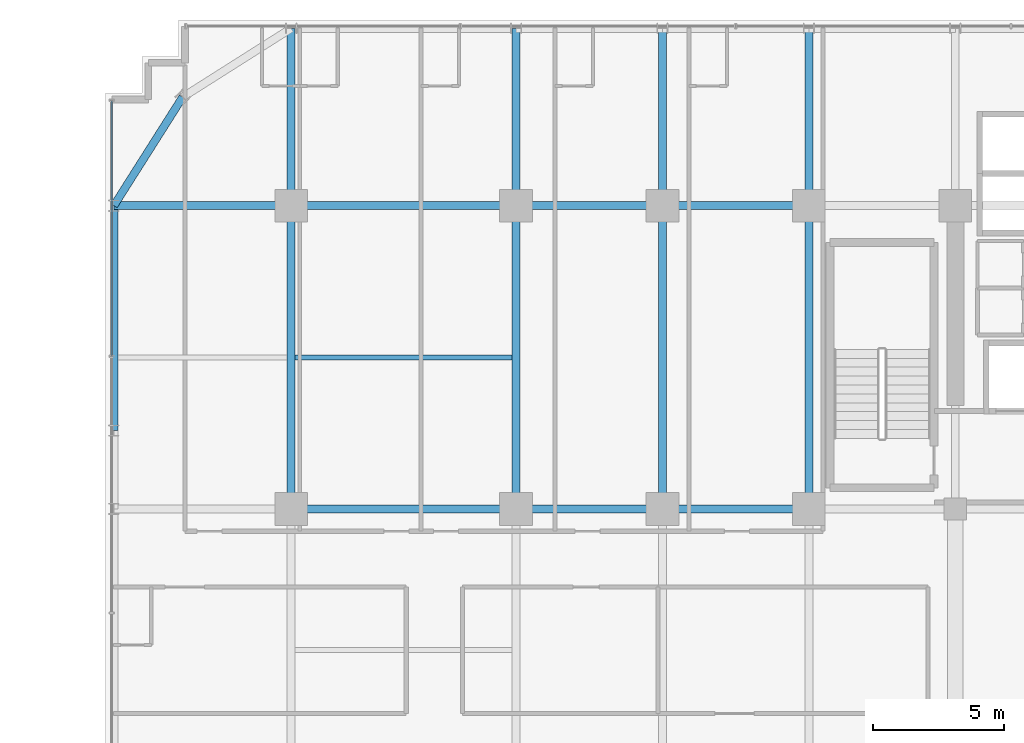
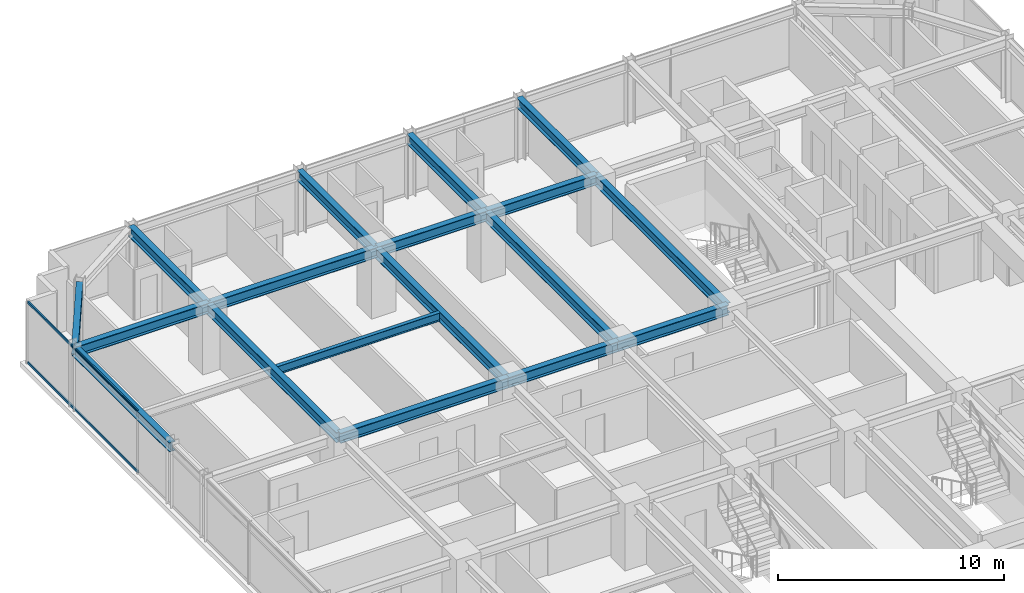
# One storey, part 17 of 31: 18 beams, 2 members, 1 element without a shape of its own.
"""IFC4 building model written with IfcOpenShell, lengths in metres."""

from ifc_helpers import new_model, si_unit, direction, frame, origin, origin_2d, place, context, subcontext, project, spatial, hollow_rectangle, i_section, extrude, source, transform, mapped, material, material_profile, profile_set, type_object, element, aggregate, save


model = new_model("IFC4")

# Units and contexts
model_context = context("Model", 3, precision=1e-05, world=origin(), true_north=direction((0.0, 1.0)))
body_context = subcontext(model_context, "Body", "Model", "MODEL_VIEW")
ifc_project = project(units=[si_unit("LENGTHUNIT", "METRE"), si_unit("AREAUNIT", "SQUARE_METRE"), si_unit("VOLUMEUNIT", "CUBIC_METRE"), si_unit("PLANEANGLEUNIT", "RADIAN"), si_unit("MASSUNIT", "GRAM", prefix="KILO")], contexts=[model_context])

# Site, building, storey
site_placement = place(None, origin())
site = spatial("IfcSite", under=ifc_project, at=site_placement, CompositionType="ELEMENT")
building_placement = place(site_placement, origin())
building = spatial("IfcBuilding", under=site, at=building_placement, Name="Nahalor Promenade Grand Hotel", CompositionType="ELEMENT")
storey_placement = place(building_placement, frame((0.0, 0.0, 95.60009765625)))
storey = spatial("IfcBuildingStorey", under=building, at=storey_placement, Name="L23", CompositionType="ELEMENT", Elevation=95.60009765625)

# Beams
ifc_material_1 = material(Name="Steel S355JR", Category="steel")
ifc_material_profile_1 = material_profile(ifc_material_1, i_section(OverallWidth=0.3, OverallDepth=0.5, WebThickness=0.0145, FlangeThickness=0.028, at=origin_2d()), Name="HEB 500")
ifc_profile_set_1 = profile_set([ifc_material_profile_1], Name="Steel S355JR")
beam_type_1 = type_object("IfcBeamType", Name="Beam-Spandrel-HEB500", PredefinedType="SPANDREL", material=ifc_profile_set_1)
shared_shape_1 = source(origin(), body_context, "Body", "SweptSolid", [
    extrude(i_section(OverallWidth=0.3, OverallDepth=0.5, WebThickness=0.0145, FlangeThickness=0.028, at=origin_2d()), origin(), (0.0, 0.0, 1.0), 8.60009765625),
])
beam_1_placement = place(storey_placement, frame((-23.780029296875, 8.39990234375, 3.1298828125), z_axis=(0.0, 1.0, 0.0), x_axis=(-1.0, 0.0, 0.0)))
element("IfcBeam", 1, at=beam_1_placement, inside=storey, type_object=beam_type_1, Name="BM-L23-SP-W-4", PredefinedType="SPANDREL", context=body_context, shape_type="MappedRepresentation", body=[
    mapped(shared_shape_1, transform((0.0, 0.0, 0.0), scale=1.0)),
])
shared_shape_2 = source(origin(), body_context, "Body", "SweptSolid", [
    extrude(i_section(OverallWidth=0.3, OverallDepth=0.5, WebThickness=0.0145, FlangeThickness=0.028, at=origin_2d()), origin(), (0.0, 0.0, 1.0), 4.9130859375),
])
beam_2_placement = place(storey_placement, frame((-21.14990234375, 21.14990234375, 3.1298828125), z_axis=(-0.535321591403, -0.844648325505, 0.0), x_axis=(0.844648325505, -0.535321591403, 0.0)))
element("IfcBeam", 2, at=beam_2_placement, inside=storey, type_object=beam_type_1, Name="BM-L23-SPC-NW-2", PredefinedType="SPANDREL", context=body_context, shape_type="MappedRepresentation", body=[
    mapped(shared_shape_2, transform((0.0, 0.0, 0.0), scale=1.0)),
])
ifc_material_profile_2 = material_profile(ifc_material_1, i_section(OverallWidth=0.3, OverallDepth=0.55, WebThickness=0.015, FlangeThickness=0.029, at=origin_2d()), Name="HEB 550")
ifc_profile_set_2 = profile_set([ifc_material_profile_2], Name="Steel S355JR")
beam_type_2 = type_object("IfcBeamType", Name="Beam-Girder-HEB550", PredefinedType="BEAM", material=ifc_profile_set_2)
shared_shape_3 = source(origin(), body_context, "Body", "SweptSolid", [
    extrude(i_section(OverallWidth=0.3, OverallDepth=0.55, WebThickness=0.015, FlangeThickness=0.029, at=origin_2d()), origin(), (0.0, 0.0, 1.0), 6.780029296875),
])
for number, where, z_axis, x_axis, name in (
    (3, (-23.780029296875, 17.0, 3.10498046875), (1.0, 0.0, 0.0), (0.0, 1.0, 0.0), "BM-L23-GX-3-0"),
    (4, (-17.0, 17.0, 3.10498046875), (0.0, 1.0, 0.0), (-1.0, 0.0, 0.0), "BM-L23-GY-0-4"),
    (5, (-8.39990234375, 17.0, 3.10498046875), (0.0, 1.0, 0.0), (-1.0, 0.0, 0.0), "BM-L23-GY-1-4"),
    (6, (-2.800048828125, 17.0, 3.10498046875), (0.0, 1.0, 0.0), (-1.0, 0.0, 0.0), "BM-L23-GY-2-4"),
    (7, (2.800048828125, 17.0, 3.10498046875), (0.0, 1.0, 0.0), (-1.0, 0.0, 0.0), "BM-L23-GY-3-4"),
):
    element("IfcBeam", number, at=place(storey_placement, frame(where, z_axis=z_axis, x_axis=x_axis)), inside=storey, type_object=beam_type_2, Name=name, PredefinedType="BEAM", context=body_context, shape_type="MappedRepresentation", body=[
        mapped(shared_shape_3, transform((0.0, 0.0, 0.0), scale=1.0)),
    ])
shared_shape_4 = source(origin(), body_context, "Body", "SweptSolid", [
    extrude(i_section(OverallWidth=0.3, OverallDepth=0.55, WebThickness=0.015, FlangeThickness=0.029, at=origin_2d()), origin(), (0.0, 0.0, 1.0), 8.60009765625),
])
for number, where, z_axis, x_axis, name in (
    (8, (-17.0, 5.39990234375, 3.10498046875), (1.0, 0.0, 0.0), (0.0, 1.0, 0.0), "BM-L23-GX-2-1"),
    (9, (-17.0, 17.0, 3.10498046875), (1.0, 0.0, 0.0), (0.0, 1.0, 0.0), "BM-L23-GX-3-1"),
):
    element("IfcBeam", number, at=place(storey_placement, frame(where, z_axis=z_axis, x_axis=x_axis)), inside=storey, type_object=beam_type_2, Name=name, PredefinedType="BEAM", context=body_context, shape_type="MappedRepresentation", body=[
        mapped(shared_shape_4, transform((0.0, 0.0, 0.0), scale=1.0)),
    ])
shared_shape_5 = source(origin(), body_context, "Body", "SweptSolid", [
    extrude(i_section(OverallWidth=0.3, OverallDepth=0.55, WebThickness=0.015, FlangeThickness=0.029, at=origin_2d()), origin(), (0.0, 0.0, 1.0), 5.599853515625),
])
for number, where, z_axis, x_axis, name in (
    (10, (-8.39990234375, 5.39990234375, 3.10498046875), (1.0, 0.0, 0.0), (0.0, 1.0, 0.0), "BM-L23-GX-2-2"),
    (11, (-8.39990234375, 17.0, 3.10498046875), (1.0, 0.0, 0.0), (0.0, 1.0, 0.0), "BM-L23-GX-3-2"),
):
    element("IfcBeam", number, at=place(storey_placement, frame(where, z_axis=z_axis, x_axis=x_axis)), inside=storey, type_object=beam_type_2, Name=name, PredefinedType="BEAM", context=body_context, shape_type="MappedRepresentation", body=[
        mapped(shared_shape_5, transform((0.0, 0.0, 0.0), scale=1.0)),
    ])
shared_shape_6 = source(origin(), body_context, "Body", "SweptSolid", [
    extrude(i_section(OverallWidth=0.3, OverallDepth=0.55, WebThickness=0.015, FlangeThickness=0.029, at=origin_2d()), origin(), (0.0, 0.0, 1.0), 5.60009765625),
])
for number, where, z_axis, x_axis, name in (
    (12, (-2.800048828125, 5.39990234375, 3.10498046875), (1.0, 0.0, 0.0), (0.0, 1.0, 0.0), "BM-L23-GX-2-3"),
    (13, (-2.800048828125, 17.0, 3.10498046875), (1.0, 0.0, 0.0), (0.0, 1.0, 0.0), "BM-L23-GX-3-3"),
):
    element("IfcBeam", number, at=place(storey_placement, frame(where, z_axis=z_axis, x_axis=x_axis)), inside=storey, type_object=beam_type_2, Name=name, PredefinedType="BEAM", context=body_context, shape_type="MappedRepresentation", body=[
        mapped(shared_shape_6, transform((0.0, 0.0, 0.0), scale=1.0)),
    ])
shared_shape_7 = source(origin(), body_context, "Body", "SweptSolid", [
    extrude(i_section(OverallWidth=0.3, OverallDepth=0.55, WebThickness=0.015, FlangeThickness=0.029, at=origin_2d()), origin(), (0.0, 0.0, 1.0), 11.60009765625),
])
for number, where, z_axis, x_axis, name in (
    (14, (-17.0, 5.39990234375, 3.10498046875), (0.0, 1.0, 0.0), (-1.0, 0.0, 0.0), "BM-L23-GY-0-3"),
    (15, (-8.39990234375, 5.39990234375, 3.10498046875), (0.0, 1.0, 0.0), (-1.0, 0.0, 0.0), "BM-L23-GY-1-3"),
    (16, (-2.800048828125, 5.39990234375, 3.10498046875), (0.0, 1.0, 0.0), (-1.0, 0.0, 0.0), "BM-L23-GY-2-3"),
    (17, (2.800048828125, 5.39990234375, 3.10498046875), (0.0, 1.0, 0.0), (-1.0, 0.0, 0.0), "BM-L23-GY-3-3"),
):
    element("IfcBeam", number, at=place(storey_placement, frame(where, z_axis=z_axis, x_axis=x_axis)), inside=storey, type_object=beam_type_2, Name=name, PredefinedType="BEAM", context=body_context, shape_type="MappedRepresentation", body=[
        mapped(shared_shape_7, transform((0.0, 0.0, 0.0), scale=1.0)),
    ])
ifc_material_profile_3 = material_profile(ifc_material_1, i_section(OverallWidth=0.19, OverallDepth=0.45, WebThickness=0.0094, FlangeThickness=0.0146, at=origin_2d()), Name="IPE 450")
ifc_profile_set_3 = profile_set([ifc_material_profile_3], Name="Steel S355JR")
beam_type_3 = type_object("IfcBeamType", Name="Beam-Joist-IPE450", PredefinedType="JOIST", material=ifc_profile_set_3)
shared_shape_8 = source(origin(), body_context, "Body", "SweptSolid", [
    extrude(i_section(OverallWidth=0.19, OverallDepth=0.45, WebThickness=0.0094, FlangeThickness=0.0146, at=origin_2d()), origin(), (0.0, 0.0, 1.0), 8.300048828125),
])
beam_3_placement = place(storey_placement, frame((-16.85009765625, 11.199951171875, 3.15478515625), z_axis=(1.0, 0.0, 0.0), x_axis=(0.0, 1.0, 0.0)))
element("IfcBeam", 18, at=beam_3_placement, inside=storey, type_object=beam_type_3, Name="BM-L23-JSW-1-1", PredefinedType="JOIST", context=body_context, shape_type="MappedRepresentation", body=[
    mapped(shared_shape_8, transform((0.0, 0.0, 0.0), scale=1.0)),
])

# Curtain wall, members
ifc_material_2 = material(Name="Anodised Bronze Aluminium EN AW-6063 T6", Category="aluminium")
curtain_wall_type = type_object("IfcCurtainWallType", Name="CW2 Typical Hotel Flush Bronze Unitised Curtain Wall", PredefinedType="USERDEFINED", material=ifc_material_2)
curtain_wall_placement = place(storey_placement, origin())
curtain_wall = element("IfcCurtainWall", 19, at=curtain_wall_placement, inside=storey, type_object=curtain_wall_type, Name="L23 Curtain Wall CW-L23-W-3", ObjectType="UNITISED_CURTAIN_WALL", PredefinedType="USERDEFINED")
ifc_material_profile_4 = material_profile(ifc_material_2, hollow_rectangle(XDim=0.065, YDim=0.13, WallThickness=0.004, at=origin_2d()), Name="CWT 65x130x4")
ifc_profile_set_4 = profile_set([ifc_material_profile_4], Name="Anodised Bronze Aluminium EN AW-6063 T6")
member_type = type_object("IfcMemberType", Name="CWT2 Typical Bronze Transom 65x130", PredefinedType="USERDEFINED", material=ifc_profile_set_4)
shared_shape_9 = source(origin(), body_context, "Body", "SweptSolid", [
    extrude(hollow_rectangle(XDim=0.065, YDim=0.13, WallThickness=0.004, at=origin_2d()), origin(), (0.0, 0.0, 1.0), 9.72265625),
])
member_1_placement = place(storey_placement, frame((-23.860107421875, 11.2724609375, 0.06494140625), z_axis=(0.0, 1.0, 0.0), x_axis=(-1.0, 0.0, 0.0)))
member_1 = element("IfcMember", 20, at=member_1_placement, type_object=member_type, Name="CW-L23-W-3 Transom 2-0", ObjectType="TRANSOM", PredefinedType="USERDEFINED", context=body_context, shape_type="MappedRepresentation", body=[
    mapped(shared_shape_9, transform((0.0, 0.0, 0.0), scale=1.0)),
])
member_2_placement = place(storey_placement, frame((-23.860107421875, 11.2724609375, 3.31494140625), z_axis=(0.0, 1.0, 0.0), x_axis=(-1.0, 0.0, 0.0)))
member_2 = element("IfcMember", 21, at=member_2_placement, type_object=member_type, Name="CW-L23-W-3 Transom 2-1", ObjectType="TRANSOM", PredefinedType="USERDEFINED", context=body_context, shape_type="MappedRepresentation", body=[
    mapped(shared_shape_9, transform((0.0, 0.0, 0.0), scale=1.0)),
])
aggregate(curtain_wall, [member_1, member_2])

save(model, "model.ifc")
